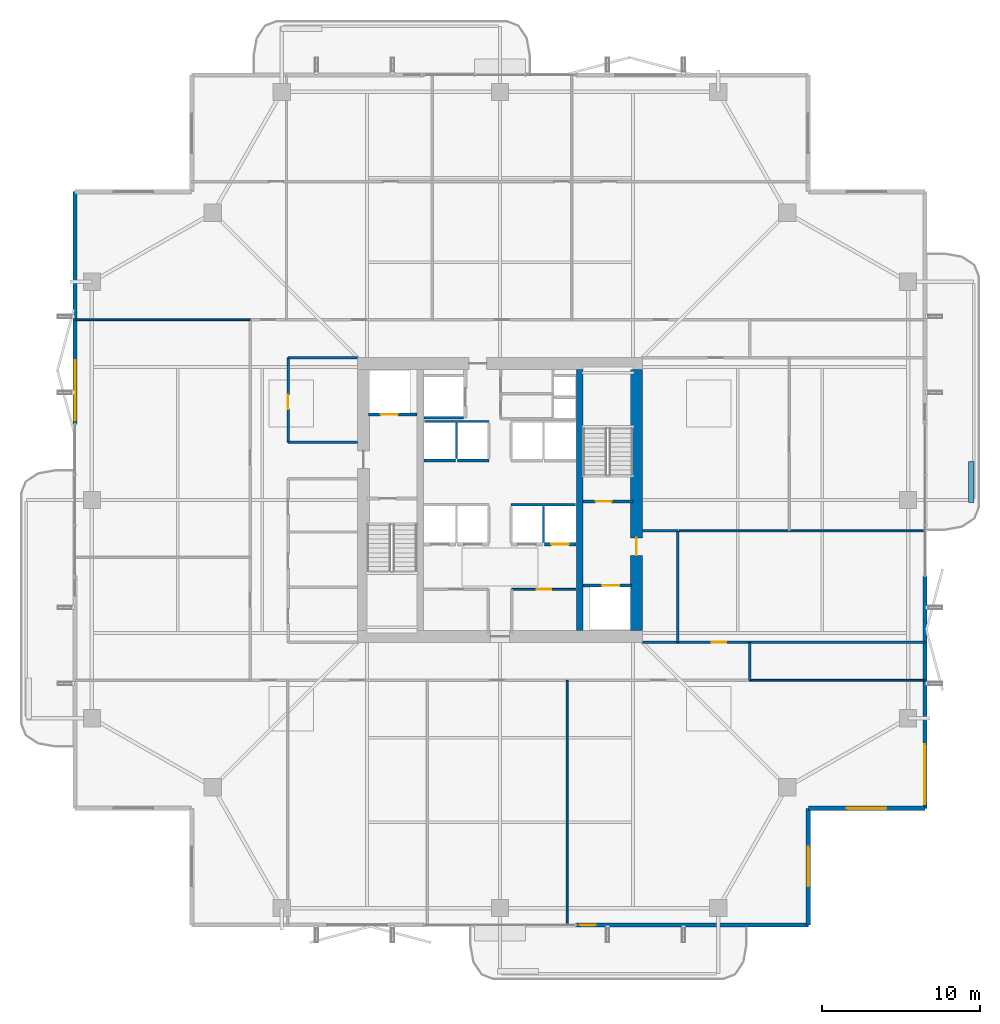
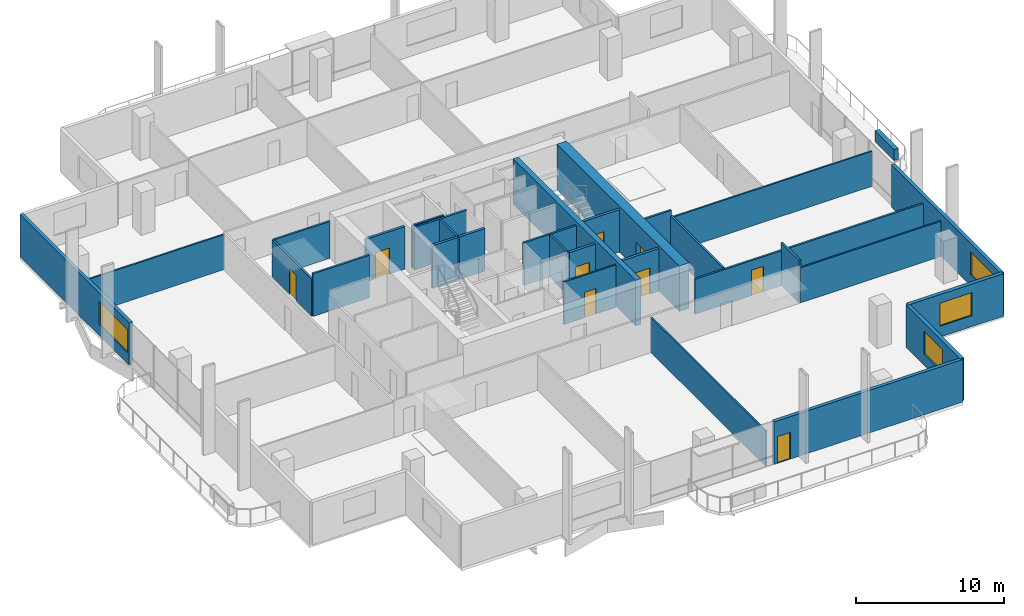
# One storey, part 18 of 24: 31 walls, 9 doors, 4 windows, 13 openings.
"""IFC4 building model written with IfcOpenShell, lengths in metres."""

from ifc_helpers import new_model, si_unit, direction, frame, frame_2d, origin, place, context, subcontext, project, spatial, rectangle, extrude, material, layer, layer_set, type_object, element, fill, save


model = new_model("IFC4")

# Units and contexts
model_context = context("Model", 3, precision=1e-05, world=origin(), true_north=direction((0.0, 1.0)))
body_context = subcontext(model_context, "Body", "Model", "MODEL_VIEW")
ifc_project = project(units=[si_unit("LENGTHUNIT", "METRE"), si_unit("AREAUNIT", "SQUARE_METRE"), si_unit("VOLUMEUNIT", "CUBIC_METRE"), si_unit("PLANEANGLEUNIT", "RADIAN"), si_unit("MASSUNIT", "GRAM", prefix="KILO")], contexts=[model_context])

# Site, building, storey
site_placement = place(None, origin())
site = spatial("IfcSite", under=ifc_project, at=site_placement, CompositionType="ELEMENT")
building_placement = place(site_placement, origin())
building = spatial("IfcBuilding", under=site, at=building_placement, Name="Belovzor Exchange Tower", CompositionType="ELEMENT")
storey_placement = place(building_placement, frame((0.0, 0.0, 233.699951171875)))
storey = spatial("IfcBuildingStorey", under=building, at=storey_placement, Name="L58", CompositionType="ELEMENT", Elevation=233.699951171875)

# Walls
ifc_material_1 = material(Name="Acoustic Plasterboard on Galvanised Studs", Category="gypsum")
ifc_layer_1 = layer(ifc_material_1, 0.1201171875)
ifc_layer_set_1 = layer_set([ifc_layer_1], Name="Acoustic Plasterboard on Galvanised Studs")
wall_type_1 = type_object("IfcWallType", Name="Acoustic Double-Stud Partition Wall 120", PredefinedType="PARTITIONING", material=ifc_layer_set_1)
wall_1_placement = place(storey_placement, frame((33.0400390625, 1.929931640625, 0.0), z_axis=(0.0, 0.0, 1.0), x_axis=(0.0, 1.0, 0.0)))
element("IfcWall", 1, at=wall_1_placement, inside=storey, type_object=wall_type_1, Name="W-P120 Partition Wall W-L58-SDIV-3", PredefinedType="PARTITIONING", context=body_context, shape_type="SweptSolid", body=[
    extrude(rectangle(XDim=15.469970703125, YDim=0.1201171875, at=frame_2d((7.73486328125, 0.0))), origin(), (0.0, 0.0, 1.0), 2.885009765625),
])
wall_2_placement = place(storey_placement, frame((40.125, 26.85009765625, 0.0), z_axis=(0.0, 0.0, 1.0), x_axis=(1.0, 0.0, 0.0)))
element("IfcWall", 2, at=wall_2_placement, inside=storey, type_object=wall_type_1, Name="W-P120 Partition Wall W-L58-EDIV-1", PredefinedType="PARTITIONING", context=body_context, shape_type="SweptSolid", body=[
    extrude(rectangle(XDim=15.544921875, YDim=0.1201171875, at=frame_2d((7.7724609375, 0.0))), origin(), (0.0, 0.0, 1.0), 2.885009765625),
])
wall_3_placement = place(storey_placement, frame((44.60009765625, 17.39990234375, 0.0), z_axis=(0.0, 0.0, 1.0), x_axis=(1.0, 0.0, 0.0)))
element("IfcWall", 3, at=wall_3_placement, inside=storey, type_object=wall_type_1, Name="W-P120 Partition Wall W-L58-END-SE", PredefinedType="PARTITIONING", context=body_context, shape_type="SweptSolid", body=[
    extrude(rectangle(XDim=11.06982421875, YDim=0.1201171875, at=frame_2d((5.534912109375, 0.0))), origin(), (0.0, 0.0, 1.0), 2.885009765625),
])
wall_4_placement = place(storey_placement, frame((1.929931640625, 40.199951171875, 0.0), z_axis=(0.0, 0.0, 1.0), x_axis=(1.0, 0.0, 0.0)))
element("IfcWall", 4, at=wall_4_placement, inside=storey, type_object=wall_type_1, Name="W-P120 Partition Wall W-L58-END-NW", PredefinedType="PARTITIONING", context=body_context, shape_type="SweptSolid", body=[
    extrude(rectangle(XDim=11.070068359375, YDim=0.1201171875, at=frame_2d((5.53515625, 0.0))), origin(), (0.0, 0.0, 1.0), 2.885009765625),
])

# Wall, opening, door
ifc_material_2 = material(Name="Fire-Rated Plasterboard on Galvanised Studs", Category="gypsum")
ifc_layer_2 = layer(ifc_material_2, 0.1201171875)
ifc_layer_set_2 = layer_set([ifc_layer_2], Name="Fire-Rated Plasterboard on Galvanised Studs")
wall_type_2 = type_object("IfcWallType", Name="Fire-Rated Double-Stud Partition Wall 120", PredefinedType="PARTITIONING", material=ifc_layer_set_2)
wall_5_placement = place(storey_placement, frame((29.550048828125, 23.14990234375, 0.0), z_axis=(0.0, 0.0, 1.0), x_axis=(1.0, 0.0, 0.0)))
wall_5 = element("IfcWall", 5, at=wall_5_placement, inside=storey, type_object=wall_type_2, Name="W-P120F Partition Wall W-CRL-L58-EN", PredefinedType="PARTITIONING", context=body_context, shape_type="SweptSolid", body=[
    extrude(rectangle(XDim=4.050048828125, YDim=0.1201171875, at=frame_2d((2.02490234375, 0.0))), origin(), (0.0, 0.0, 1.0), 3.5),
])
opening_1_placement = place(wall_5_placement, frame((1.574951171875, 0.0, 0.0)))
opening_1 = element("IfcOpeningElement", 6, at=opening_1_placement, cuts=wall_5, Name="Opening D-FD60-090", PredefinedType="OPENING", context=body_context, shape_type="SweptSolid", body=[
    extrude(rectangle(XDim=0.89990234375, YDim=2.10009765625, at=frame_2d((0.449951171875, 1.050048828125))), frame((0.0, 0.070068359375, 0.0), z_axis=(0.0, -1.0, 0.0), x_axis=(1.0, 0.0, 0.0)), (0.0, 0.0, 1.0), 0.14013671875),
])
ifc_material_3 = material(Name="Acoustic Timber Fire Leaf", Category="wood")
door_type_1 = type_object("IfcDoorType", Name="Core Service & Restroom Fire Door 900x2100", OperationType="NOTDEFINED", PredefinedType="DOOR", material=ifc_material_3)
door_1_placement = place(opening_1_placement, origin())
door_1 = element("IfcDoor", 7, at=door_1_placement, inside=storey, type_object=door_type_1, Name="D-FD60-090 Core Service & Restroom Fire Door 900x2100", OperationType="SINGLE_SWING_RIGHT", OverallHeight=2.10009765625, OverallWidth=0.89990234375, PredefinedType="DOOR", context=body_context, shape_type="SweptSolid", body=[
    extrude(rectangle(XDim=0.89990234375, YDim=2.10009765625, at=frame_2d((0.449951171875, 1.050048828125))), frame((0.0, 0.02490234375, 0.0), z_axis=(0.0, -1.0, 0.0), x_axis=(1.0, 0.0, 0.0)), (0.0, 0.0, 1.0), 0.050048828125),
])
fill(opening_1, door_1)

# Walls
ifc_material_4 = material(Name="Fire-Rated Gypsum Block and Mineral Wool", Category="gypsum")
ifc_layer_3 = layer(ifc_material_4, 0.14990234375)
ifc_layer_set_3 = layer_set([ifc_layer_3], Name="Fire-Rated Gypsum Block and Mineral Wool")
wall_type_3 = type_object("IfcWallType", Name="Fire-Rated Gypsum Block Corridor Wall 150", PredefinedType="PARTITIONING", material=ifc_layer_set_3)
wall_6_placement = place(storey_placement, frame((15.39990234375, 32.449951171875, 0.0), z_axis=(0.0, 0.0, 1.0), x_axis=(1.0, 0.0, 0.0)))
element("IfcWall", 8, at=wall_6_placement, inside=storey, type_object=wall_type_3, Name="W-P150 Partition Wall W-L58-CFW-N", PredefinedType="PARTITIONING", context=body_context, shape_type="SweptSolid", body=[
    extrude(rectangle(XDim=4.400146484375, YDim=0.14990234375, at=frame_2d((2.2001953125, 0.0))), origin(), (0.0, 0.0, 1.0), 3.5),
])
wall_7_placement = place(storey_placement, frame((15.39990234375, 37.800048828125, 0.0), z_axis=(0.0, 0.0, 1.0), x_axis=(1.0, 0.0, 0.0)))
element("IfcWall", 9, at=wall_7_placement, inside=storey, type_object=wall_type_3, Name="W-P150 Partition Wall W-L58-INW-N", PredefinedType="PARTITIONING", context=body_context, shape_type="SweptSolid", body=[
    extrude(rectangle(XDim=4.400146484375, YDim=0.14990234375, at=frame_2d((2.2001953125, 0.0))), origin(), (0.0, 0.0, 1.0), 3.03515625),
])

# Wall, opening, door
wall_8_placement = place(storey_placement, frame((15.39990234375, 32.449951171875, 0.0), z_axis=(0.0, 0.0, 1.0), x_axis=(0.0, 1.0, 0.0)))
wall_8 = element("IfcWall", 10, at=wall_8_placement, inside=storey, type_object=wall_type_3, Name="W-P150 Partition Wall W-L58-WIE-N", PredefinedType="PARTITIONING", context=body_context, shape_type="SweptSolid", body=[
    extrude(rectangle(XDim=5.35009765625, YDim=0.14990234375, at=frame_2d((2.675048828125, 0.0))), origin(), (0.0, 0.0, 1.0), 3.03515625),
])
opening_2_placement = place(wall_8_placement, frame((2.10009765625, 0.0, 0.0)))
opening_2 = element("IfcOpeningElement", 11, at=opening_2_placement, cuts=wall_8, Name="Opening D-FD60-090", PredefinedType="OPENING", context=body_context, shape_type="SweptSolid", body=[
    extrude(rectangle(XDim=0.89990234375, YDim=2.10009765625, at=frame_2d((0.449951171875, 1.050048828125))), frame((0.0, 0.0849609375, 0.0), z_axis=(0.0, -1.0, 0.0), x_axis=(1.0, 0.0, 0.0)), (0.0, 0.0, 1.0), 0.169921875),
])
door_2_placement = place(opening_2_placement, origin())
door_2 = element("IfcDoor", 12, at=door_2_placement, inside=storey, type_object=door_type_1, Name="D-FD60-090 Core Service & Restroom Fire Door 900x2100", OperationType="SINGLE_SWING_LEFT", OverallHeight=2.10009765625, OverallWidth=0.89990234375, PredefinedType="DOOR", context=body_context, shape_type="SweptSolid", body=[
    extrude(rectangle(XDim=0.89990234375, YDim=2.10009765625, at=frame_2d((0.449951171875, 1.050048828125))), frame((0.0, 0.02490234375, 0.0), z_axis=(0.0, -1.0, 0.0), x_axis=(1.0, 0.0, 0.0)), (0.0, 0.0, 1.0), 0.050048828125),
])
fill(opening_2, door_2)

# Walls
wall_9_placement = place(storey_placement, frame((37.800048828125, 26.85009765625, 0.0), z_axis=(0.0, 0.0, 1.0), x_axis=(1.0, 0.0, 0.0)))
element("IfcWall", 13, at=wall_9_placement, inside=storey, type_object=wall_type_3, Name="W-P150 Partition Wall W-L58-CFE-N", PredefinedType="PARTITIONING", context=body_context, shape_type="SweptSolid", body=[
    extrude(rectangle(XDim=2.25, YDim=0.14990234375, at=frame_2d((1.125, 0.0))), origin(), (0.0, 0.0, 1.0), 3.5),
])
wall_10_placement = place(storey_placement, frame((40.050048828125, 19.800048828125, 0.0), z_axis=(0.0, 0.0, 1.0), x_axis=(0.0, 1.0, 0.0)))
element("IfcWall", 14, at=wall_10_placement, inside=storey, type_object=wall_type_3, Name="W-P150 Partition Wall W-L58-CFE-E", PredefinedType="PARTITIONING", context=body_context, shape_type="SweptSolid", body=[
    extrude(rectangle(XDim=7.050048828125, YDim=0.14990234375, at=frame_2d((3.52490234375, 0.0))), origin(), (0.0, 0.0, 1.0), 3.03515625),
])
wall_11_placement = place(storey_placement, frame((44.60009765625, 17.39990234375, 0.0), z_axis=(0.0, 0.0, 1.0), x_axis=(0.0, 1.0, 0.0)))
element("IfcWall", 15, at=wall_11_placement, inside=storey, type_object=wall_type_3, Name="W-P150 Partition Wall W-L58-END-ES", PredefinedType="PARTITIONING", context=body_context, shape_type="SweptSolid", body=[
    extrude(rectangle(XDim=2.400146484375, YDim=0.14990234375, at=frame_2d((1.2001953125, 0.0))), origin(), (0.0, 0.0, 1.0), 3.5),
])

# Wall, opening, door
wall_12_placement = place(storey_placement, frame((37.800048828125, 19.800048828125, 0.0), z_axis=(0.0, 0.0, 1.0), x_axis=(1.0, 0.0, 0.0)))
wall_12 = element("IfcWall", 16, at=wall_12_placement, inside=storey, type_object=wall_type_3, Name="W-P150 Partition Wall W-L58-CS-IN", PredefinedType="PARTITIONING", context=body_context, shape_type="SweptSolid", body=[
    extrude(rectangle(XDim=17.869873046875, YDim=0.14990234375, at=frame_2d((8.93505859375, 0.0))), origin(), (0.0, 0.0, 1.0), 2.885009765625),
])
opening_3_placement = place(wall_12_placement, frame((4.39990234375, 0.0, 0.0)))
opening_3 = element("IfcOpeningElement", 17, at=opening_3_placement, cuts=wall_12, Name="Opening D-INT-090", PredefinedType="OPENING", context=body_context, shape_type="SweptSolid", body=[
    extrude(rectangle(XDim=0.89990234375, YDim=2.10009765625, at=frame_2d((0.449951171875, 1.050048828125))), frame((0.0, 0.0849609375, 0.0), z_axis=(0.0, -1.0, 0.0), x_axis=(1.0, 0.0, 0.0)), (0.0, 0.0, 1.0), 0.169921875),
])
ifc_material_5 = material(Name="Veneered Hardwood Acoustic Leaf", Category="wood")
door_type_2 = type_object("IfcDoorType", Name="Trading Suite Acoustic Single Door 900x2100", OperationType="NOTDEFINED", PredefinedType="DOOR", material=ifc_material_5)
door_3_placement = place(opening_3_placement, origin())
door_3 = element("IfcDoor", 18, at=door_3_placement, inside=storey, type_object=door_type_2, Name="D-INT-090 Trading Suite Acoustic Single Door 900x2100", OperationType="SINGLE_SWING_LEFT", OverallHeight=2.10009765625, OverallWidth=0.89990234375, PredefinedType="DOOR", context=body_context, shape_type="SweptSolid", body=[
    extrude(rectangle(XDim=0.89990234375, YDim=2.10009765625, at=frame_2d((0.449951171875, 1.050048828125))), frame((0.0, 0.02490234375, 0.0), z_axis=(0.0, -1.0, 0.0), x_axis=(1.0, 0.0, 0.0)), (0.0, 0.0, 1.0), 0.050048828125),
])
fill(opening_3, door_3)

# Wall, opening, window
ifc_material_6 = material(Name="Precast concrete C40/50", Category="concrete")
ifc_layer_4 = layer(ifc_material_6, 0.280029296875)
ifc_layer_set_4 = layer_set([ifc_layer_4], Name="Precast concrete C40/50")
wall_type_4 = type_object("IfcWallType", Name="Precast Concrete Notched Corner Frame Wall 280", PredefinedType="SOLIDWALL", material=ifc_layer_set_4)
wall_13_placement = place(storey_placement, frame((55.669921875, 9.300048828125, 0.0), z_axis=(0.0, 0.0, 1.0), x_axis=(-1.0, 0.0, 0.0)))
wall_13 = element("IfcWall", 19, at=wall_13_placement, inside=storey, type_object=wall_type_4, Name="W-CRN280 Precast Concrete Notched Corner Frame Wall 280 L58", PredefinedType="SOLIDWALL", context=body_context, shape_type="SweptSolid", body=[
    extrude(rectangle(XDim=7.369873046875, YDim=0.280029296875, at=frame_2d((3.68505859375, 0.0))), origin(), (0.0, 0.0, 1.0), 3.5),
])
opening_4_placement = place(wall_13_placement, frame((2.43505859375, 0.0, 0.89990234375)))
opening_4 = element("IfcOpeningElement", 20, at=opening_4_placement, cuts=wall_13, Name="Opening WN-CRN250", PredefinedType="OPENING", context=body_context, shape_type="SweptSolid", body=[
    extrude(rectangle(XDim=2.5, YDim=1.89990234375, at=frame_2d((1.25, 0.949951171875))), frame((0.0, 0.14990234375, 0.0), z_axis=(0.0, -1.0, 0.0), x_axis=(1.0, 0.0, 0.0)), (0.0, 0.0, 1.0), 0.300048828125),
])
ifc_material_7 = material(Name="Thermally Broken Aluminium and Triple Glazing", Category="aluminium")
window_type_1 = type_object("IfcWindowType", Name="Streamline Moderne Corner Wrap Ribbon Window 2500x1900", PartitioningType="SINGLE_PANEL", PredefinedType="WINDOW", material=ifc_material_7)
window_1_placement = place(opening_4_placement, origin())
window_1 = element("IfcWindow", 21, at=window_1_placement, inside=storey, type_object=window_type_1, Name="WN-CRN250 Streamline Moderne Corner Wrap Ribbon Window 2500x1900", OverallHeight=1.89990234375, OverallWidth=2.5, PartitioningType="SINGLE_PANEL", PredefinedType="WINDOW", context=body_context, shape_type="SweptSolid", body=[
    extrude(rectangle(XDim=2.5, YDim=1.89990234375, at=frame_2d((1.25, 0.949951171875))), frame((0.0, 0.030029296875, 0.0), z_axis=(0.0, -1.0, 0.0), x_axis=(1.0, 0.0, 0.0)), (0.0, 0.0, 1.0), 0.06005859375),
])
fill(opening_4, window_1)

wall_14_placement = place(storey_placement, frame((48.300048828125, 9.300048828125, 0.0), z_axis=(0.0, 0.0, 1.0), x_axis=(0.0, -1.0, 0.0)))
wall_14 = element("IfcWall", 22, at=wall_14_placement, inside=storey, type_object=wall_type_4, Name="W-CRN280 Precast Concrete Notched Corner Frame Wall 280 L58", PredefinedType="SOLIDWALL", context=body_context, shape_type="SweptSolid", body=[
    extrude(rectangle(XDim=7.3701171875, YDim=0.280029296875, at=frame_2d((3.68505859375, 0.0))), origin(), (0.0, 0.0, 1.0), 3.5),
])
opening_5_placement = place(wall_14_placement, frame((2.43505859375, 0.0, 0.89990234375)))
opening_5 = element("IfcOpeningElement", 23, at=opening_5_placement, cuts=wall_14, Name="Opening WN-CRN250", PredefinedType="OPENING", context=body_context, shape_type="SweptSolid", body=[
    extrude(rectangle(XDim=2.5, YDim=1.89990234375, at=frame_2d((1.25, 0.949951171875))), frame((0.0, 0.14990234375, 0.0), z_axis=(0.0, -1.0, 0.0), x_axis=(1.0, 0.0, 0.0)), (0.0, 0.0, 1.0), 0.300048828125),
])
window_2_placement = place(opening_5_placement, origin())
window_2 = element("IfcWindow", 24, at=window_2_placement, inside=storey, type_object=window_type_1, Name="WN-CRN250 Streamline Moderne Corner Wrap Ribbon Window 2500x1900", OverallHeight=1.89990234375, OverallWidth=2.5, PartitioningType="SINGLE_PANEL", PredefinedType="WINDOW", context=body_context, shape_type="SweptSolid", body=[
    extrude(rectangle(XDim=2.5, YDim=1.89990234375, at=frame_2d((1.25, 0.949951171875))), frame((0.0, 0.030029296875, 0.0), z_axis=(0.0, -1.0, 0.0), x_axis=(1.0, 0.0, 0.0)), (0.0, 0.0, 1.0), 0.06005859375),
])
fill(opening_5, window_2)

# Wall, opening, door
ifc_material_8 = material(Name="Precast concrete C40/50", Category="concrete")
ifc_layer_5 = layer(ifc_material_8, 0.260009765625)
ifc_layer_set_5 = layer_set([ifc_layer_5], Name="Precast concrete C40/50")
wall_type_5 = type_object("IfcWallType", Name="Precast Concrete Perimeter Loggia Frame Wall 260", PredefinedType="SOLIDWALL", material=ifc_layer_set_5)
wall_15_placement = place(storey_placement, frame((48.300048828125, 1.929931640625, 0.0), z_axis=(0.0, 0.0, 1.0), x_axis=(-1.0, 0.0, 0.0)))
wall_15 = element("IfcWall", 25, at=wall_15_placement, inside=storey, type_object=wall_type_5, Name="W-EXT260 Precast Concrete Perimeter Loggia Frame Wall 260 L58", PredefinedType="SOLIDWALL", context=body_context, shape_type="SweptSolid", body=[
    extrude(rectangle(XDim=14.699951171875, YDim=0.260009765625, at=frame_2d((7.35009765625, 0.0))), origin(), (0.0, 0.0, 1.0), 3.5),
])
opening_6_placement = place(wall_15_placement, frame((13.449951171875, 0.0, 0.0)))
opening_6 = element("IfcOpeningElement", 26, at=opening_6_placement, cuts=wall_15, Name="Opening D-BAL100", PredefinedType="OPENING", context=body_context, shape_type="SweptSolid", body=[
    extrude(rectangle(XDim=1.0, YDim=2.199951171875, at=frame_2d((0.5, 1.10009765625))), frame((0.0, 0.139892578125, 0.0), z_axis=(0.0, -1.0, 0.0), x_axis=(1.0, 0.0, 0.0)), (0.0, 0.0, 1.0), 0.280029296875),
])
ifc_material_9 = material(Name="Thermally Broken Anodised Aluminium and Laminated Glass", Category="aluminium")
door_type_3 = type_object("IfcDoorType", Name="Planted Loggia Terrace Glazed Door 1000x2200", OperationType="SINGLE_SWING_LEFT", PredefinedType="DOOR", material=ifc_material_9)
door_4_placement = place(opening_6_placement, origin())
door_4 = element("IfcDoor", 27, at=door_4_placement, inside=storey, type_object=door_type_3, Name="D-BAL100 Balcony Terrace Door L58 S", OperationType="SINGLE_SWING_LEFT", OverallHeight=2.199951171875, OverallWidth=1.0, PredefinedType="DOOR", context=body_context, shape_type="SweptSolid", body=[
    extrude(rectangle(XDim=1.0, YDim=2.199951171875, at=frame_2d((0.5, 1.10009765625))), frame((0.0, 0.02490234375, 0.0), z_axis=(0.0, -1.0, 0.0), x_axis=(1.0, 0.0, 0.0)), (0.0, 0.0, 1.0), 0.050048828125),
])
fill(opening_6, door_4)

# Wall, opening, window
wall_16_placement = place(storey_placement, frame((1.929931640625, 33.60009765625, 0.0), z_axis=(0.0, 0.0, 1.0), x_axis=(0.0, 1.0, 0.0)))
wall_16 = element("IfcWall", 28, at=wall_16_placement, inside=storey, type_object=wall_type_5, Name="W-EXT260 Precast Concrete Perimeter Loggia Frame Wall 260 L58", PredefinedType="SOLIDWALL", context=body_context, shape_type="SweptSolid", body=[
    extrude(rectangle(XDim=14.699951171875, YDim=0.260009765625, at=frame_2d((7.35009765625, 0.0))), origin(), (0.0, 0.0, 1.0), 3.5),
])
opening_7_placement = place(wall_16_placement, frame((0.25, 0.0, 0.89990234375)))
opening_7 = element("IfcOpeningElement", 29, at=opening_7_placement, cuts=wall_16, Name="Opening WN-RIB380", PredefinedType="OPENING", context=body_context, shape_type="SweptSolid", body=[
    extrude(rectangle(XDim=3.800048828125, YDim=1.89990234375, at=frame_2d((1.89990234375, 0.949951171875))), frame((0.0, 0.139892578125, 0.0), z_axis=(0.0, -1.0, 0.0), x_axis=(1.0, 0.0, 0.0)), (0.0, 0.0, 1.0), 0.280029296875),
])
ifc_material_10 = material(Name="Thermally Broken Aluminium and Triple Glazing", Category="aluminium")
window_type_2 = type_object("IfcWindowType", Name="Streamline Moderne Horizontal Ribbon Window 3800x1900", PartitioningType="SINGLE_PANEL", PredefinedType="WINDOW", material=ifc_material_10)
window_3_placement = place(opening_7_placement, origin())
window_3 = element("IfcWindow", 30, at=window_3_placement, inside=storey, type_object=window_type_2, Name="WN-RIB380 Streamline Moderne Horizontal Ribbon Window 3800x1900", OverallHeight=1.89990234375, OverallWidth=3.800048828125, PartitioningType="SINGLE_PANEL", PredefinedType="WINDOW", context=body_context, shape_type="SweptSolid", body=[
    extrude(rectangle(XDim=3.800048828125, YDim=1.89990234375, at=frame_2d((1.89990234375, 0.949951171875))), frame((0.0, 0.030029296875, 0.0), z_axis=(0.0, -1.0, 0.0), x_axis=(1.0, 0.0, 0.0)), (0.0, 0.0, 1.0), 0.06005859375),
])
fill(opening_7, window_3)

wall_17_placement = place(storey_placement, frame((55.669921875, 24.0, 0.0), z_axis=(0.0, 0.0, 1.0), x_axis=(0.0, -1.0, 0.0)))
wall_17 = element("IfcWall", 31, at=wall_17_placement, inside=storey, type_object=wall_type_5, Name="W-EXT260 Precast Concrete Perimeter Loggia Frame Wall 260 L58", PredefinedType="SOLIDWALL", context=body_context, shape_type="SweptSolid", body=[
    extrude(rectangle(XDim=14.699951171875, YDim=0.260009765625, at=frame_2d((7.35009765625, 0.0))), origin(), (0.0, 0.0, 1.0), 3.5),
])
opening_8_placement = place(wall_17_placement, frame((10.64990234375, 0.0, 0.89990234375)))
opening_8 = element("IfcOpeningElement", 32, at=opening_8_placement, cuts=wall_17, Name="Opening WN-RIB380", PredefinedType="OPENING", context=body_context, shape_type="SweptSolid", body=[
    extrude(rectangle(XDim=3.800048828125, YDim=1.89990234375, at=frame_2d((1.89990234375, 0.949951171875))), frame((0.0, 0.139892578125, 0.0), z_axis=(0.0, -1.0, 0.0), x_axis=(1.0, 0.0, 0.0)), (0.0, 0.0, 1.0), 0.280029296875),
])
window_4_placement = place(opening_8_placement, origin())
window_4 = element("IfcWindow", 33, at=window_4_placement, inside=storey, type_object=window_type_2, Name="WN-RIB380 Streamline Moderne Horizontal Ribbon Window 3800x1900", OverallHeight=1.89990234375, OverallWidth=3.800048828125, PartitioningType="SINGLE_PANEL", PredefinedType="WINDOW", context=body_context, shape_type="SweptSolid", body=[
    extrude(rectangle(XDim=3.800048828125, YDim=1.89990234375, at=frame_2d((1.89990234375, 0.949951171875))), frame((0.0, 0.030029296875, 0.0), z_axis=(0.0, -1.0, 0.0), x_axis=(1.0, 0.0, 0.0)), (0.0, 0.0, 1.0), 0.06005859375),
])
fill(opening_8, window_4)

# Walls
ifc_material_11 = material(Name="Precast concrete C40/50", Category="concrete")
ifc_layer_6 = layer(ifc_material_11, 0.35009765625)
ifc_layer_set_6 = layer_set([ifc_layer_6], Name="Precast concrete C40/50")
wall_type_6 = type_object("IfcWallType", Name="Precast Concrete Structural Tree Planter Trough 350", PredefinedType="PARAPET", material=ifc_layer_set_6)
wall_18_placement = place(storey_placement, frame((58.60009765625, 28.64990234375, 0.0), z_axis=(0.0, 0.0, 1.0), x_axis=(0.0, 1.0, 0.0)))
element("IfcWall", 34, at=wall_18_placement, inside=storey, type_object=wall_type_6, Name="PT-350 Precast Concrete Structural Tree Planter Trough 350 L58", PredefinedType="PARAPET", context=body_context, shape_type="SweptSolid", body=[
    extrude(rectangle(XDim=2.60009765625, YDim=0.35009765625, at=frame_2d((1.300048828125, 0.0))), origin(), (0.0, 0.0, 1.0), 0.900146484375),
])
ifc_material_12 = material(Name="Concrete C50/60", Category="concrete")
ifc_layer_7 = layer(ifc_material_12, 0.39990234375)
ifc_layer_set_7 = layer_set([ifc_layer_7], Name="Concrete C50/60")
wall_type_7 = type_object("IfcWallType", Name="Reinforced Concrete Core Internal Web Wall 400", PredefinedType="SHEAR", material=ifc_layer_set_7)
wall_19_placement = place(storey_placement, frame((33.85009765625, 20.550048828125, 0.0), z_axis=(0.0, 0.0, 1.0), x_axis=(0.0, 1.0, 0.0)))
element("IfcWall", 35, at=wall_19_placement, inside=storey, type_object=wall_type_7, Name="CW-W040 Core Internal Web Wall L58 ER", PredefinedType="SHEAR", context=body_context, shape_type="SweptSolid", body=[
    extrude(rectangle(XDim=16.5, YDim=0.39990234375, at=frame_2d((8.25, 0.0))), origin(), (0.0, 0.0, 1.0), 3.75),
])
ifc_material_13 = material(Name="Concrete C50/60", Category="concrete")
ifc_layer_8 = layer(ifc_material_13, 0.14990234375)
ifc_layer_set_8 = layer_set([ifc_layer_8], Name="Concrete C50/60")
wall_type_8 = type_object("IfcWallType", Name="Reinforced Concrete Core Riser Shear Wall 150", PredefinedType="SHEAR", material=ifc_layer_set_8)
wall_20_placement = place(storey_placement, frame((24.0, 34.0, 0.0), z_axis=(0.0, 0.0, 1.0), x_axis=(1.0, 0.0, 0.0)))
element("IfcWall", 36, at=wall_20_placement, inside=storey, type_object=wall_type_8, Name="W-C150S Core Shaft Wall W-SH-L58-SL-01S", PredefinedType="SHEAR", context=body_context, shape_type="SweptSolid", body=[
    extrude(rectangle(XDim=2.47998046875, YDim=0.14990234375, at=frame_2d((1.239990234375, 0.0))), origin(), (0.0, 0.0, 1.0), 3.5),
])
wall_21_placement = place(storey_placement, frame((29.5, 28.5, 0.0), z_axis=(0.0, 0.0, 1.0), x_axis=(1.0, 0.0, 0.0)))
element("IfcWall", 37, at=wall_21_placement, inside=storey, type_object=wall_type_8, Name="W-C150S Core Shaft Wall W-SHB-L58-PLM-NE", PredefinedType="SHEAR", context=body_context, shape_type="SweptSolid", body=[
    extrude(rectangle(XDim=4.080078125, YDim=0.14990234375, at=frame_2d((2.0400390625, 0.0))), origin(), (0.0, 0.0, 1.0), 3.5),
])
wall_22_placement = place(storey_placement, frame((31.550048828125, 26.1201171875, 0.0), z_axis=(0.0, 0.0, 1.0), x_axis=(0.0, 1.0, 0.0)))
element("IfcWall", 38, at=wall_22_placement, inside=storey, type_object=wall_type_8, Name="W-C150S Core Shaft Wall W-SHD-L58-PLM-4", PredefinedType="SHEAR", context=body_context, shape_type="SweptSolid", body=[
    extrude(rectangle(XDim=2.27978515625, YDim=0.14990234375, at=frame_2d((1.139892578125, 0.0))), origin(), (0.0, 0.0, 1.0), 3.5),
])
wall_23_placement = place(storey_placement, frame((24.02001953125, 33.760009765625, 0.0), z_axis=(0.0, 0.0, 1.0), x_axis=(1.0, 0.0, 0.0)))
element("IfcWall", 39, at=wall_23_placement, inside=storey, type_object=wall_type_8, Name="W-C150S Core Shaft Wall W-SHB-L58-PLH-NW", PredefinedType="SHEAR", context=body_context, shape_type="SweptSolid", body=[
    extrude(rectangle(XDim=4.080078125, YDim=0.14990234375, at=frame_2d((2.0400390625, 0.0))), origin(), (0.0, 0.0, 1.0), 3.5),
])
wall_24_placement = place(storey_placement, frame((26.050048828125, 31.419921875, 0.0), z_axis=(0.0, 0.0, 1.0), x_axis=(0.0, 1.0, 0.0)))
element("IfcWall", 40, at=wall_24_placement, inside=storey, type_object=wall_type_8, Name="W-C150S Core Shaft Wall W-SHD-L58-PLH-1", PredefinedType="SHEAR", context=body_context, shape_type="SweptSolid", body=[
    extrude(rectangle(XDim=2.239990234375, YDim=0.14990234375, at=frame_2d((1.1201171875, 0.0))), origin(), (0.0, 0.0, 1.0), 3.5),
])

# Wall, opening, door
ifc_material_14 = material(Name="Concrete C50/60", Category="concrete")
ifc_layer_9 = layer(ifc_material_14, 0.199951171875)
ifc_layer_set_9 = layer_set([ifc_layer_9], Name="Concrete C50/60")
wall_type_9 = type_object("IfcWallType", Name="Reinforced Concrete Core Shaft Shear Wall 200", PredefinedType="SHEAR", material=ifc_layer_set_9)
wall_25_placement = place(storey_placement, frame((34.050048828125, 28.699951171875, 0.0), z_axis=(0.0, 0.0, 1.0), x_axis=(1.0, 0.0, 0.0)))
wall_25 = element("IfcWall", 41, at=wall_25_placement, inside=storey, type_object=wall_type_9, Name="W-C200S Core Shaft Wall W-CORE-L58-FFLE2", PredefinedType="SHEAR", context=body_context, shape_type="SweptSolid", body=[
    extrude(rectangle(XDim=3.14990234375, YDim=0.199951171875, at=frame_2d((1.574951171875, 0.0))), origin(), (0.0, 0.0, 1.0), 3.5),
])
opening_9_placement = place(wall_25_placement, frame((0.800048828125, 0.0, 0.0)))
opening_9 = element("IfcOpeningElement", 42, at=opening_9_placement, cuts=wall_25, Name="Opening D-FD90-100", PredefinedType="OPENING", context=body_context, shape_type="SweptSolid", body=[
    extrude(rectangle(XDim=1.0, YDim=2.10009765625, at=frame_2d((0.5, 1.050048828125))), frame((0.0, 0.10986328125, 0.0), z_axis=(0.0, -1.0, 0.0), x_axis=(1.0, 0.0, 0.0)), (0.0, 0.0, 1.0), 0.219970703125),
])
ifc_material_15 = material(Name="Fire-Rated Galvanised Steel Leaf", Category="steel")
door_type_4 = type_object("IfcDoorType", Name="Protected Stairwell Single Fire Door 1000x2100", OperationType="NOTDEFINED", PredefinedType="DOOR", material=ifc_material_15)
door_5_placement = place(opening_9_placement, origin())
door_5 = element("IfcDoor", 43, at=door_5_placement, inside=storey, type_object=door_type_4, Name="D-FD90-100 Protected Stairwell Single Fire Door 1000x2100", OperationType="SINGLE_SWING_LEFT", OverallHeight=2.10009765625, OverallWidth=1.0, PredefinedType="DOOR", context=body_context, shape_type="SweptSolid", body=[
    extrude(rectangle(XDim=1.0, YDim=2.10009765625, at=frame_2d((0.5, 1.050048828125))), frame((0.0, 0.02490234375, 0.0), z_axis=(0.0, -1.0, 0.0), x_axis=(1.0, 0.0, 0.0)), (0.0, 0.0, 1.0), 0.050048828125),
])
fill(opening_9, door_5)

wall_26_placement = place(storey_placement, frame((20.5, 34.199951171875, 0.0), z_axis=(0.0, 0.0, 1.0), x_axis=(1.0, 0.0, 0.0)))
wall_26 = element("IfcWall", 44, at=wall_26_placement, inside=storey, type_object=wall_type_9, Name="W-C200S Core Shaft Wall W-SH-L58-FFL-01", PredefinedType="SHEAR", context=body_context, shape_type="SweptSolid", body=[
    extrude(rectangle(XDim=3.050048828125, YDim=0.199951171875, at=frame_2d((1.52490234375, 0.0))), origin(), (0.0, 0.0, 1.0), 3.5),
])
opening_10_placement = place(wall_26_placement, frame((0.75, 0.0, 0.0)))
opening_10 = element("IfcOpeningElement", 45, at=opening_10_placement, cuts=wall_26, Name="Opening LD-110", PredefinedType="OPENING", context=body_context, shape_type="SweptSolid", body=[
    extrude(rectangle(XDim=1.10009765625, YDim=2.14990234375, at=frame_2d((0.550048828125, 1.074951171875))), frame((0.0, 0.10986328125, 0.0), z_axis=(0.0, -1.0, 0.0), x_axis=(1.0, 0.0, 0.0)), (0.0, 0.0, 1.0), 0.219970703125),
])
ifc_material_16 = material(Name="Stainless Steel Grade 304", Category="steel")
door_type_5 = type_object("IfcDoorType", Name="Automated Stainless Steel Lift Landing Door 1100x2150", OperationType="SLIDING_TO_RIGHT", PredefinedType="DOOR", material=ifc_material_16)
door_6_placement = place(opening_10_placement, origin())
door_6 = element("IfcDoor", 46, at=door_6_placement, inside=storey, type_object=door_type_5, Name="LD-110 Automated Stainless Steel Lift Landing Door 1100x2150", OperationType="SLIDING_TO_RIGHT", OverallHeight=2.14990234375, OverallWidth=1.10009765625, PredefinedType="DOOR", context=body_context, shape_type="SweptSolid", body=[
    extrude(rectangle(XDim=1.10009765625, YDim=2.14990234375, at=frame_2d((0.550048828125, 1.074951171875))), frame((0.0, 0.02490234375, 0.0), z_axis=(0.0, -1.0, 0.0), x_axis=(1.0, 0.0, 0.0)), (0.0, 0.0, 1.0), 0.050048828125),
])
fill(opening_10, door_6)

wall_27_placement = place(storey_placement, frame((34.050048828125, 23.39990234375, 0.0), z_axis=(0.0, 0.0, 1.0), x_axis=(1.0, 0.0, 0.0)))
wall_27 = element("IfcWall", 47, at=wall_27_placement, inside=storey, type_object=wall_type_9, Name="W-C200S Core Shaft Wall W-SH-L58-FFL-02", PredefinedType="SHEAR", context=body_context, shape_type="SweptSolid", body=[
    extrude(rectangle(XDim=3.050048828125, YDim=0.199951171875, at=frame_2d((1.52490234375, 0.0))), origin(), (0.0, 0.0, 1.0), 3.5),
])
opening_11_placement = place(wall_27_placement, frame((1.199951171875, 0.0, 0.0)))
opening_11 = element("IfcOpeningElement", 48, at=opening_11_placement, cuts=wall_27, Name="Opening LD-110", PredefinedType="OPENING", context=body_context, shape_type="SweptSolid", body=[
    extrude(rectangle(XDim=1.10009765625, YDim=2.14990234375, at=frame_2d((0.550048828125, 1.074951171875))), frame((0.0, 0.10986328125, 0.0), z_axis=(0.0, -1.0, 0.0), x_axis=(1.0, 0.0, 0.0)), (0.0, 0.0, 1.0), 0.219970703125),
])
door_7_placement = place(opening_11_placement, origin())
door_7 = element("IfcDoor", 49, at=door_7_placement, inside=storey, type_object=door_type_5, Name="LD-110 Automated Stainless Steel Lift Landing Door 1100x2150", OperationType="SLIDING_TO_RIGHT", OverallHeight=2.14990234375, OverallWidth=1.10009765625, PredefinedType="DOOR", context=body_context, shape_type="SweptSolid", body=[
    extrude(rectangle(XDim=1.10009765625, YDim=2.14990234375, at=frame_2d((0.550048828125, 1.074951171875))), frame((0.0, 0.02490234375, 0.0), z_axis=(0.0, -1.0, 0.0), x_axis=(1.0, 0.0, 0.0)), (0.0, 0.0, 1.0), 0.050048828125),
])
fill(opening_11, door_7)

wall_28_placement = place(storey_placement, frame((31.60009765625, 26.0, 0.0), z_axis=(0.0, 0.0, 1.0), x_axis=(1.0, 0.0, 0.0)))
wall_28 = element("IfcWall", 50, at=wall_28_placement, inside=storey, type_object=wall_type_9, Name="W-C200S Core Shaft Wall W-SH-L58-PL-M4", PredefinedType="SHEAR", context=body_context, shape_type="SweptSolid", body=[
    extrude(rectangle(XDim=2.0, YDim=0.199951171875, at=frame_2d((1.0, 0.0))), origin(), (0.0, 0.0, 1.0), 3.5),
])
opening_12_placement = place(wall_28_placement, frame((0.449951171875, 0.0, 0.0)))
opening_12 = element("IfcOpeningElement", 51, at=opening_12_placement, cuts=wall_28, Name="Opening LD-110", PredefinedType="OPENING", context=body_context, shape_type="SweptSolid", body=[
    extrude(rectangle(XDim=1.10009765625, YDim=2.14990234375, at=frame_2d((0.550048828125, 1.074951171875))), frame((0.0, 0.10986328125, 0.0), z_axis=(0.0, -1.0, 0.0), x_axis=(1.0, 0.0, 0.0)), (0.0, 0.0, 1.0), 0.219970703125),
])
door_8_placement = place(opening_12_placement, origin())
door_8 = element("IfcDoor", 52, at=door_8_placement, inside=storey, type_object=door_type_5, Name="LD-110 Automated Stainless Steel Lift Landing Door 1100x2150", OperationType="SLIDING_TO_RIGHT", OverallHeight=2.14990234375, OverallWidth=1.10009765625, PredefinedType="DOOR", context=body_context, shape_type="SweptSolid", body=[
    extrude(rectangle(XDim=1.10009765625, YDim=2.14990234375, at=frame_2d((0.550048828125, 1.074951171875))), frame((0.0, 0.02490234375, 0.0), z_axis=(0.0, -1.0, 0.0), x_axis=(1.0, 0.0, 0.0)), (0.0, 0.0, 1.0), 0.050048828125),
])
fill(opening_12, door_8)

# Walls
for number, where, z_axis, x_axis, name in (
    (53, (24.0, 31.300048828125, 0.0), (0.0, 0.0, 1.0), (1.0, 0.0, 0.0), "W-C200S Core Shaft Wall W-SH-L58-PL-H1"),
    (54, (26.10009765625, 31.300048828125, 0.0), (0.0, 0.0, 1.0), (1.0, 0.0, 0.0), "W-C200S Core Shaft Wall W-SH-L58-PL-H2"),
):
    element("IfcWall", number, at=place(storey_placement, frame(where, z_axis=z_axis, x_axis=x_axis)), inside=storey, type_object=wall_type_9, Name=name, PredefinedType="SHEAR", context=body_context, shape_type="SweptSolid", body=[
        extrude(rectangle(XDim=2.0, YDim=0.199951171875, at=frame_2d((1.0, 0.0))), origin(), (0.0, 0.0, 1.0), 3.5),
    ])

# Wall, opening, door
ifc_material_17 = material(Name="Concrete C50/60", Category="concrete")
ifc_layer_10 = layer(ifc_material_17, 0.75)
ifc_layer_set_10 = layer_set([ifc_layer_10], Name="Concrete C50/60")
wall_type_10 = type_object("IfcWallType", Name="Reinforced Concrete Core Shear Wall 750", PredefinedType="SHEAR", material=ifc_layer_set_10)
wall_29_placement = place(storey_placement, frame((37.425048828125, 20.550048828125, 0.0), z_axis=(0.0, 0.0, 1.0), x_axis=(0.0, 1.0, 0.0)))
wall_29 = element("IfcWall", 55, at=wall_29_placement, inside=storey, type_object=wall_type_10, Name="CW-S075 Core Shear Wall L58 E", PredefinedType="SHEAR", context=body_context, shape_type="SweptSolid", body=[
    extrude(rectangle(XDim=16.5, YDim=0.75, at=frame_2d((8.25, 0.0))), origin(), (0.0, 0.0, 1.0), 3.75),
])
opening_13_placement = place(wall_29_placement, frame((4.75, 0.0, 0.0)))
opening_13 = element("IfcOpeningElement", 56, at=opening_13_placement, cuts=wall_29, Name="Opening D-FD90-110", PredefinedType="OPENING", context=body_context, shape_type="SweptSolid", body=[
    extrude(rectangle(XDim=1.10009765625, YDim=2.14990234375, at=frame_2d((0.550048828125, 1.074951171875))), frame((0.0, 0.385009765625, 0.0), z_axis=(0.0, -1.0, 0.0), x_axis=(1.0, 0.0, 0.0)), (0.0, 0.0, 1.0), 0.77001953125),
])
ifc_material_18 = material(Name="Fire-Rated Galvanised Steel Leaf", Category="steel")
door_type_6 = type_object("IfcDoorType", Name="Protected Escape Vestibule Fire Door 1100x2150", OperationType="NOTDEFINED", PredefinedType="DOOR", material=ifc_material_18)
door_9_placement = place(opening_13_placement, origin())
door_9 = element("IfcDoor", 57, at=door_9_placement, inside=storey, type_object=door_type_6, Name="D-FD90-110 Protected Escape Vestibule Fire Door 1100x2150", OperationType="SINGLE_SWING_RIGHT", OverallHeight=2.14990234375, OverallWidth=1.10009765625, PredefinedType="DOOR", context=body_context, shape_type="SweptSolid", body=[
    extrude(rectangle(XDim=1.10009765625, YDim=2.14990234375, at=frame_2d((0.550048828125, 1.074951171875))), frame((0.0, 0.02490234375, 0.0), z_axis=(0.0, -1.0, 0.0), x_axis=(1.0, 0.0, 0.0)), (0.0, 0.0, 1.0), 0.050048828125),
])
fill(opening_13, door_9)

save(model, "model.ifc")
